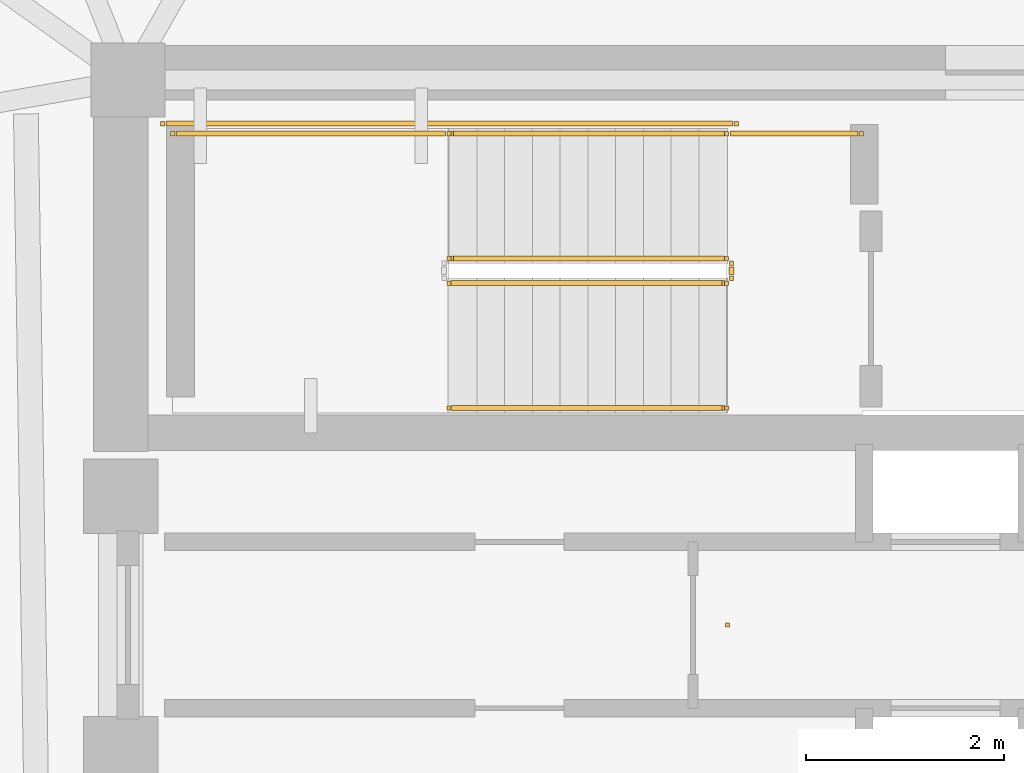
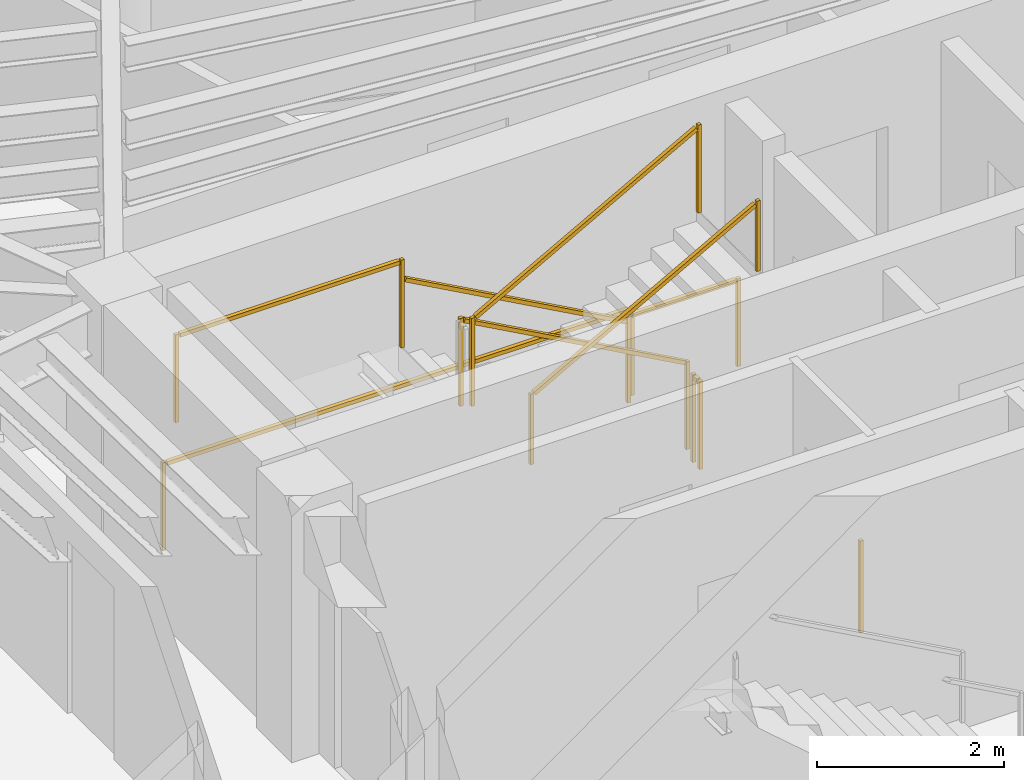
# One storey, part 8 of 9: 9 railings.
"""IFC4 building model written with IfcOpenShell, lengths in metres."""

from ifc_helpers import new_model, si_unit, direction, frame, origin, origin_2d, place, context, subcontext, project, spatial, rectangle, extrude, material, type_object, element, save


model = new_model("IFC4")

# Units and contexts
model_context = context("Model", 3, precision=1e-05, world=origin(), true_north=direction((0.0, 1.0)))
body_context = subcontext(model_context, "Body", "Model", "MODEL_VIEW")
ifc_project = project(units=[si_unit("LENGTHUNIT", "METRE"), si_unit("AREAUNIT", "SQUARE_METRE"), si_unit("VOLUMEUNIT", "CUBIC_METRE"), si_unit("PLANEANGLEUNIT", "RADIAN"), si_unit("MASSUNIT", "GRAM", prefix="KILO")], contexts=[model_context])

# Site, building, storey
site_placement = place(None, origin())
site = spatial("IfcSite", under=ifc_project, at=site_placement, CompositionType="ELEMENT")
building_placement = place(site_placement, origin())
building = spatial("IfcBuilding", under=site, at=building_placement, Name="Yunling Apex Tower", CompositionType="ELEMENT")
storey_placement = place(building_placement, frame((0.0, 0.0, 264.35009765625)))
storey = spatial("IfcBuildingStorey", under=building, at=storey_placement, Name="L64", CompositionType="ELEMENT", Elevation=264.35009765625)

# Railings
ifc_material_1 = material(Name="Bronze anodised aluminium", Category="aluminium")
railing_type_1 = type_object("IfcRailingType", Name="RL-BAL-1200", PredefinedType="BALUSTRADE", material=ifc_material_1)
railing_1_placement = place(storey_placement, origin())
element("IfcRailing", 1, at=railing_1_placement, inside=storey, type_object=railing_type_1, Name="RL-TATR-L64", PredefinedType="BALUSTRADE", context=body_context, shape_type="SweptSolid", body=[
    extrude(rectangle(XDim=0.0439453125, YDim=0.0439453125, at=origin_2d()), origin(), (0.0, 0.0, 1.0), 1.199951171875),
])
ifc_material_2 = material(Name="Steel Q355B", Category="steel")
railing_type_2 = type_object("IfcRailingType", Name="RL-GRD-1150", PredefinedType="GUARDRAIL", material=ifc_material_2)
railing_2_placement = place(storey_placement, frame((-0.010009765625, 3.699951171875, 0.154541015625)))
element("IfcRailing", 2, at=railing_2_placement, inside=storey, type_object=railing_type_2, Name="L64 ST-1 stair guard 1", PredefinedType="GUARDRAIL", context=body_context, shape_type="SweptSolid", body=[
    extrude(rectangle(XDim=0.0439453125, YDim=0.0439453125, at=origin_2d()), origin(), (0.0, 0.0, 1.0), 1.14990234375),
    extrude(rectangle(XDim=0.0439453125, YDim=0.0439453125, at=origin_2d()), frame((-2.800048828125, 0.0, 1.54541015625)), (0.0, 0.0, 1.0), 1.14990234375),
    extrude(rectangle(XDim=0.050048828125, YDim=0.050048828125, at=origin_2d()), frame((-0.033447265625, 0.0, 1.143310546875), z_axis=(-0.875504190374, 0.0, 0.483210526207), x_axis=(0.0, -1.0, 0.0)), (0.0, 0.0, 1.0), 3.12158203125),
])
railing_3_placement = place(storey_placement, frame((-2.81005859375, 4.9599609375, 1.699951171875)))
element("IfcRailing", 3, at=railing_3_placement, inside=storey, type_object=railing_type_2, Name="L64 ST-1 stair guard 3", PredefinedType="GUARDRAIL", context=body_context, shape_type="SweptSolid", body=[
    extrude(rectangle(XDim=0.0439453125, YDim=0.0439453125, at=origin_2d()), origin(), (0.0, 0.0, 1.0), 1.14990234375),
    extrude(rectangle(XDim=0.0439453125, YDim=0.0439453125, at=origin_2d()), frame((-2.7900390625, 0.0, 0.0)), (0.0, 0.0, 1.0), 1.14990234375),
    extrude(rectangle(XDim=0.050048828125, YDim=0.050048828125, at=origin_2d()), frame((-0.038330078125, 0.0, 1.125), z_axis=(-1.0, 0.0, 0.0), x_axis=(0.0, -1.0, 0.0)), (0.0, 0.0, 1.0), 2.71337890625),
])
railing_4_placement = place(storey_placement, frame((-2.81005859375, 3.449951171875, 1.8544921875)))
element("IfcRailing", 4, at=railing_4_placement, inside=storey, type_object=railing_type_2, Name="L64 ST-1 stair guard 4", PredefinedType="GUARDRAIL", context=body_context, shape_type="SweptSolid", body=[
    extrude(rectangle(XDim=0.0439453125, YDim=0.0439453125, at=origin_2d()), origin(), (0.0, 0.0, 1.0), 1.14990234375),
    extrude(rectangle(XDim=0.0439453125, YDim=0.0439453125, at=origin_2d()), frame((2.800048828125, 0.0, 1.54541015625)), (0.0, 0.0, 1.0), 1.14990234375),
    extrude(rectangle(XDim=0.050048828125, YDim=0.050048828125, at=origin_2d()), frame((0.033447265625, 0.0, 1.143310546875), z_axis=(0.875504190374, 0.0, 0.483210526207), x_axis=(0.0, 1.0, 0.0)), (0.0, 0.0, 1.0), 3.12158203125),
])
railing_5_placement = place(storey_placement, frame((0.0400390625, 3.64990234375, 0.0)))
element("IfcRailing", 5, at=railing_5_placement, inside=storey, type_object=railing_type_2, Name="L64 ST-1 stair guard 5", PredefinedType="GUARDRAIL", context=body_context, shape_type="SweptSolid", body=[
    extrude(rectangle(XDim=0.0439453125, YDim=0.0439453125, at=origin_2d()), origin(), (0.0, 0.0, 1.0), 1.14990234375),
    extrude(rectangle(XDim=0.0439453125, YDim=0.0439453125, at=origin_2d()), frame((0.0, -0.14990234375, 0.0)), (0.0, 0.0, 1.0), 1.14990234375),
    extrude(rectangle(XDim=0.050048828125, YDim=0.050048828125, at=origin_2d()), frame((0.0, -0.038330078125, 1.125), z_axis=(0.0, -1.0, 0.0), x_axis=(1.0, 0.0, 0.0)), (0.0, 0.0, 1.0), 0.0732421875),
])
railing_6_placement = place(storey_placement, frame((1.35009765625, 4.9599609375, 0.0)))
element("IfcRailing", 6, at=railing_6_placement, inside=storey, type_object=railing_type_2, Name="L64 ST-1 stair guard 6", PredefinedType="GUARDRAIL", context=body_context, shape_type="SweptSolid", body=[
    extrude(rectangle(XDim=0.0439453125, YDim=0.0439453125, at=origin_2d()), origin(), (0.0, 0.0, 1.0), 1.14990234375),
    extrude(rectangle(XDim=0.0439453125, YDim=0.0439453125, at=origin_2d()), frame((-1.360107421875, 0.0, 0.0)), (0.0, 0.0, 1.0), 1.14990234375),
    extrude(rectangle(XDim=0.050048828125, YDim=0.050048828125, at=origin_2d()), frame((-0.038330078125, 0.0, 1.125), z_axis=(-1.0, 0.0, 0.0), x_axis=(0.0, -1.0, 0.0)), (0.0, 0.0, 1.0), 1.283447265625),
])
railing_7_placement = place(storey_placement, frame((0.090087890625, 5.06005859375, 0.0)))
element("IfcRailing", 7, at=railing_7_placement, inside=storey, type_object=railing_type_2, Name="L64 ST-1 stair guard 7", PredefinedType="GUARDRAIL", context=body_context, shape_type="SweptSolid", body=[
    extrude(rectangle(XDim=0.0439453125, YDim=0.0439453125, at=origin_2d()), origin(), (0.0, 0.0, 1.0), 1.14990234375),
    extrude(rectangle(XDim=0.0439453125, YDim=0.0439453125, at=origin_2d()), frame((-5.7900390625, 0.0, 0.0)), (0.0, 0.0, 1.0), 1.14990234375),
    extrude(rectangle(XDim=0.050048828125, YDim=0.050048828125, at=origin_2d()), frame((-0.038330078125, 0.0, 1.125), z_axis=(-1.0, 0.0, 0.0), x_axis=(0.0, -1.0, 0.0)), (0.0, 0.0, 1.0), 5.71337890625),
])
ifc_material_3 = material(Name="Silver anodised aluminium", Category="aluminium")
railing_type_3 = type_object("IfcRailingType", Name="RL-HND-900", PredefinedType="HANDRAIL", material=ifc_material_3)
railing_8_placement = place(storey_placement, frame((-0.010009765625, 4.9599609375, 0.154541015625)))
element("IfcRailing", 8, at=railing_8_placement, inside=storey, type_object=railing_type_3, Name="L64 ST-1 stair handrail 1", PredefinedType="HANDRAIL", context=body_context, shape_type="SweptSolid", body=[
    extrude(rectangle(XDim=0.0439453125, YDim=0.0439453125, at=origin_2d()), origin(), (0.0, 0.0, 1.0), 0.919921875),
    extrude(rectangle(XDim=0.0439453125, YDim=0.0439453125, at=origin_2d()), frame((-2.800048828125, 0.0, 1.54541015625)), (0.0, 0.0, 1.0), 0.919921875),
    extrude(rectangle(XDim=0.050048828125, YDim=0.050048828125, at=origin_2d()), frame((-0.033447265625, 0.0, 0.913330078125), z_axis=(-0.875504190374, 0.0, 0.483210526207), x_axis=(0.0, -1.0, 0.0)), (0.0, 0.0, 1.0), 3.12158203125),
])
railing_9_placement = place(storey_placement, frame((-2.81005859375, 2.18994140625, 1.8544921875)))
element("IfcRailing", 9, at=railing_9_placement, inside=storey, type_object=railing_type_3, Name="L64 ST-1 stair handrail 2", PredefinedType="HANDRAIL", context=body_context, shape_type="SweptSolid", body=[
    extrude(rectangle(XDim=0.0439453125, YDim=0.0439453125, at=origin_2d()), origin(), (0.0, 0.0, 1.0), 0.919921875),
    extrude(rectangle(XDim=0.0439453125, YDim=0.0439453125, at=origin_2d()), frame((2.800048828125, 0.0, 1.54541015625)), (0.0, 0.0, 1.0), 0.919921875),
    extrude(rectangle(XDim=0.050048828125, YDim=0.050048828125, at=origin_2d()), frame((0.033447265625, 0.0, 0.913330078125), z_axis=(0.875504190374, 0.0, 0.483210526207), x_axis=(0.0, 1.0, 0.0)), (0.0, 0.0, 1.0), 3.12158203125),
])

save(model, "model.ifc")
